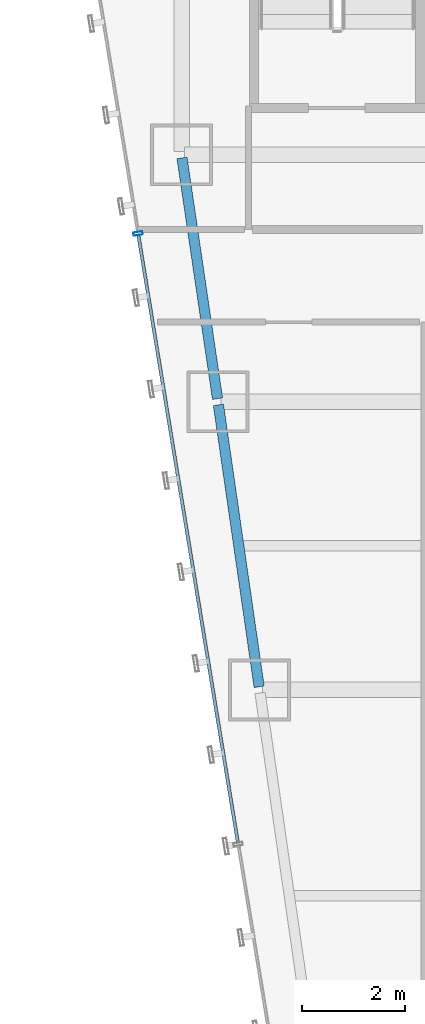
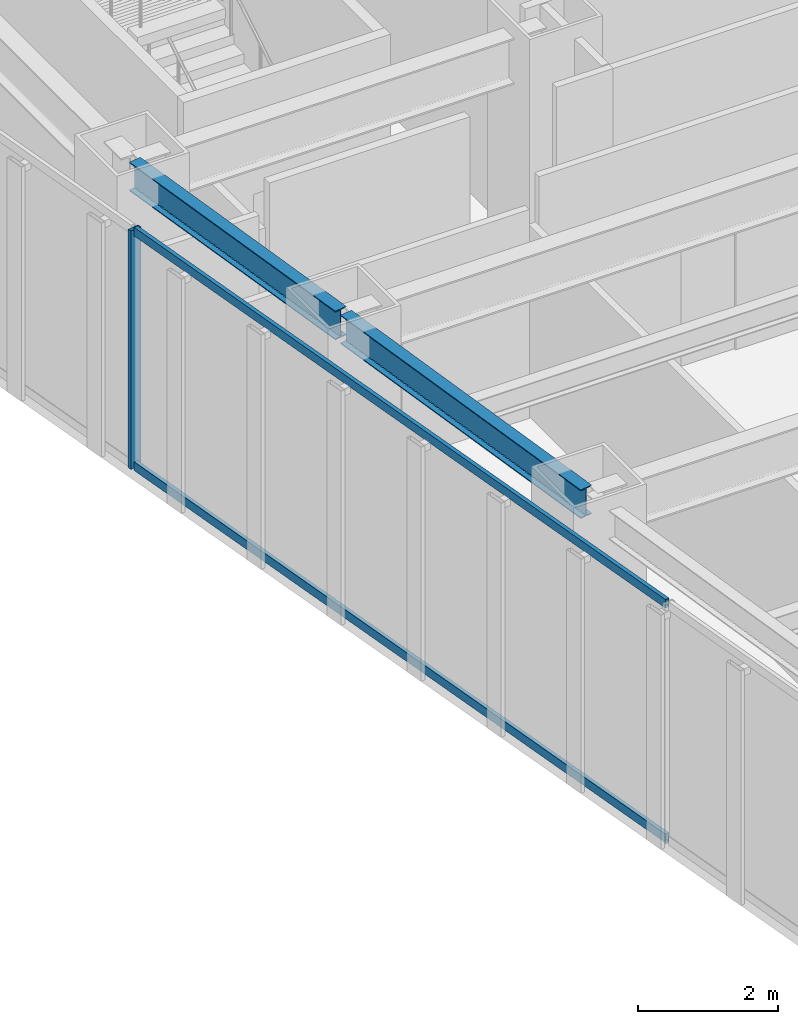
# One storey, part 22 of 47: 3 members, 2 beams, 1 element without a shape of its own.
"""IFC4 building model written with IfcOpenShell, lengths in metres."""

from ifc_helpers import new_model, si_unit, direction, frame, origin, origin_2d, place, context, subcontext, project, spatial, hollow_rectangle, i_section, extrude, material, material_profile, profile_set, type_object, element, aggregate, save


model = new_model("IFC4")

# Units and contexts
model_context = context("Model", 3, precision=1e-05, world=origin(), true_north=direction((0.0, 1.0)))
body_context = subcontext(model_context, "Body", "Model", "MODEL_VIEW")
ifc_project = project(units=[si_unit("LENGTHUNIT", "METRE"), si_unit("AREAUNIT", "SQUARE_METRE"), si_unit("VOLUMEUNIT", "CUBIC_METRE"), si_unit("PLANEANGLEUNIT", "RADIAN"), si_unit("MASSUNIT", "GRAM", prefix="KILO")], contexts=[model_context])

# Site, building, storey
site_placement = place(None, origin())
site = spatial("IfcSite", under=ifc_project, at=site_placement, CompositionType="ELEMENT")
building_placement = place(site_placement, origin())
building = spatial("IfcBuilding", under=site, at=building_placement, Name="Saevonmaru Cultural Tower", CompositionType="ELEMENT")
storey_placement = place(building_placement, frame((0.0, 0.0, 92.800048828125)))
storey = spatial("IfcBuildingStorey", under=building, at=storey_placement, Name="L19", CompositionType="ELEMENT", Elevation=92.800048828125)

# Beams
ifc_material_1 = material(Name="Steel SM355", Category="steel")
ifc_material_profile_1 = material_profile(ifc_material_1, i_section(OverallWidth=0.199951171875, OverallDepth=0.5, WebThickness=0.010009765625, FlangeThickness=0.01611328125, FilletRadius=0.02001953125, at=origin_2d()), Name="H-500x200x10x16")
ifc_profile_set_1 = profile_set([ifc_material_profile_1], Name="Steel SM355")
beam_type = type_object("IfcBeamType", Name="BM-SP-H500", PredefinedType="SPANDREL", material=ifc_profile_set_1)
beam_1_placement = place(storey_placement, frame((8.308349609375, 32.059326171875, 3.89990234375), z_axis=(-0.142964121327, 0.989727871697, 0.0), x_axis=(-0.989727871697, -0.142964121327, 0.0)))
element("IfcBeam", 1, at=beam_1_placement, inside=storey, type_object=beam_type, Name="L19 West Splayed Spandrel 5", PredefinedType="SPANDREL", context=body_context, shape_type="SweptSolid", body=[
    extrude(i_section(OverallWidth=0.199951171875, OverallDepth=0.5, WebThickness=0.010009765625, FlangeThickness=0.01611328125, FilletRadius=0.02001953125, at=origin_2d()), origin(), (0.0, 0.0, 1.0), 5.5380859375),
])
beam_2_placement = place(storey_placement, frame((7.499267578125, 37.659423828125, 3.89990234375), z_axis=(-0.145912860028, 0.989297446312, 0.0), x_axis=(-0.989297446312, -0.145912860028, 0.0)))
element("IfcBeam", 2, at=beam_2_placement, inside=storey, type_object=beam_type, Name="L19 West Splayed Spandrel 6", PredefinedType="SPANDREL", context=body_context, shape_type="SweptSolid", body=[
    extrude(i_section(OverallWidth=0.199951171875, OverallDepth=0.5, WebThickness=0.010009765625, FlangeThickness=0.01611328125, FilletRadius=0.02001953125, at=origin_2d()), origin(), (0.0, 0.0, 1.0), 4.731689453125),
])

# Curtain wall, members
ifc_material_2 = material(Name="Satin Bronze Anodised Aluminium", Category="aluminium")
curtain_wall_type = type_object("IfcCurtainWallType", Name="CW-TYP-A", PredefinedType="NOTDEFINED", material=ifc_material_2)
curtain_wall_placement = place(storey_placement, origin())
curtain_wall = element("IfcCurtainWall", 3, at=curtain_wall_placement, inside=storey, type_object=curtain_wall_type, Name="L19 Unitised Curtain Wall E12", PredefinedType="NOTDEFINED")
ifc_material_profile_2 = material_profile(ifc_material_2, hollow_rectangle(XDim=0.06494140625, YDim=0.179931640625, WallThickness=0.00390625, at=origin_2d()), Name="ALU-MULL-180x65x4")
ifc_profile_set_2 = profile_set([ifc_material_profile_2], Name="Satin Bronze Anodised Aluminium")
member_type_1 = type_object("IfcMemberType", Name="ML-CW-180x65", PredefinedType="MULLION", material=ifc_profile_set_2)
member_1_placement = place(storey_placement, frame((5.954833984375, 40.870361328125, 0.0), z_axis=(0.0, 0.0, 1.0), x_axis=(0.161708868641, -0.986838508472, 0.0)))
member_1 = element("IfcMember", 4, at=member_1_placement, type_object=member_type_1, Name="CW-TW-L19-E12 mullion 2", PredefinedType="MULLION", context=body_context, shape_type="SweptSolid", body=[
    extrude(hollow_rectangle(XDim=0.06494140625, YDim=0.179931640625, WallThickness=0.00390625, at=origin_2d()), origin(), (0.0, 0.0, 1.0), 4.14990234375),
])
ifc_material_profile_3 = material_profile(ifc_material_2, hollow_rectangle(XDim=0.06494140625, YDim=0.14990234375, WallThickness=0.00390625, at=origin_2d()), Name="ALU-TRAN-150x65x4")
ifc_profile_set_3 = profile_set([ifc_material_profile_3], Name="Satin Bronze Anodised Aluminium")
member_type_2 = type_object("IfcMemberType", Name="TR-CW-150x65", PredefinedType="USERDEFINED", material=ifc_profile_set_3)
member_2_placement = place(storey_placement, frame((5.960205078125, 40.83837890625, 0.032470703125), z_axis=(0.161701400727, -0.986839732177, 0.0), x_axis=(0.986839732177, 0.161701400727, 0.0)))
member_2 = element("IfcMember", 5, at=member_2_placement, type_object=member_type_2, Name="CW-TW-L19-E12 transom 2.1", ObjectType="TRANSOM", PredefinedType="USERDEFINED", context=body_context, shape_type="SweptSolid", body=[
    extrude(hollow_rectangle(XDim=0.06494140625, YDim=0.14990234375, WallThickness=0.00390625, at=origin_2d()), origin(), (0.0, 0.0, 1.0), 11.9638671875),
])
member_3_placement = place(storey_placement, frame((5.960205078125, 40.83837890625, 4.117431640625), z_axis=(0.161701400727, -0.986839732177, 0.0), x_axis=(0.986839732177, 0.161701400727, 0.0)))
member_3 = element("IfcMember", 6, at=member_3_placement, type_object=member_type_2, Name="CW-TW-L19-E12 transom 2.2", ObjectType="TRANSOM", PredefinedType="USERDEFINED", context=body_context, shape_type="SweptSolid", body=[
    extrude(hollow_rectangle(XDim=0.06494140625, YDim=0.14990234375, WallThickness=0.00390625, at=origin_2d()), origin(), (0.0, 0.0, 1.0), 11.9638671875),
])
aggregate(curtain_wall, [member_1, member_2, member_3])

save(model, "model.ifc")
